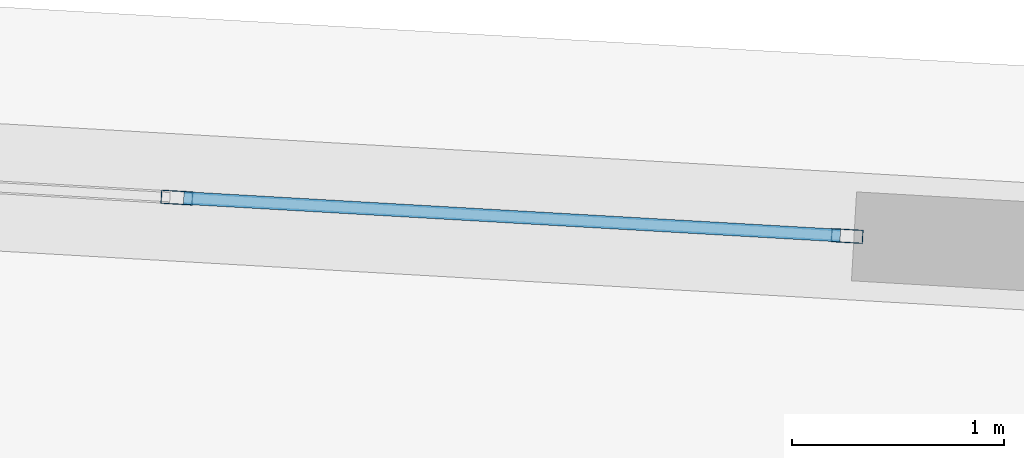
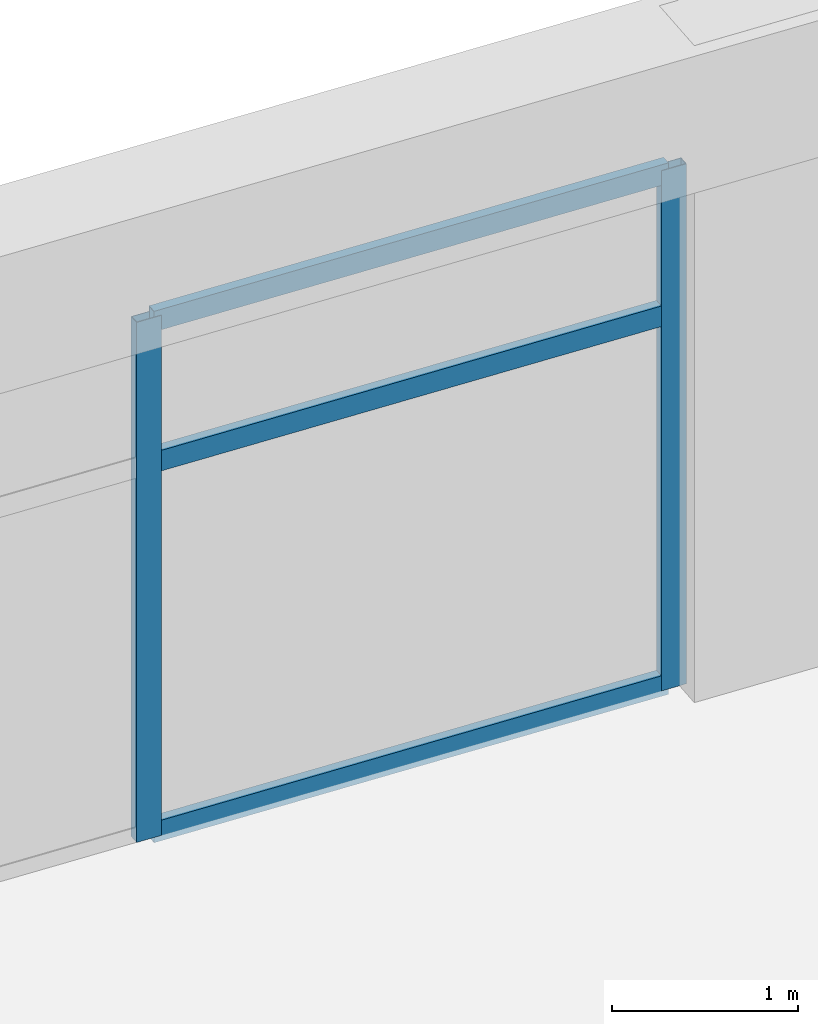
# One storey, part 23 of 30: 5 members, 1 element without a shape of its own.
"""IFC4 building model written with IfcOpenShell, lengths in metres."""

from ifc_helpers import new_model, si_unit, direction, frame, origin, origin_2d, place, context, subcontext, project, spatial, hollow_rectangle, extrude, source, transform, mapped, material, layer, layer_set, material_profile, profile_set, type_object, element, aggregate, save


model = new_model("IFC4")

# Units and contexts
model_context = context("Model", 3, precision=1e-05, world=origin(), true_north=direction((0.0, 1.0)))
body_context = subcontext(model_context, "Body", "Model", "MODEL_VIEW")
ifc_project = project(units=[si_unit("LENGTHUNIT", "METRE"), si_unit("AREAUNIT", "SQUARE_METRE"), si_unit("VOLUMEUNIT", "CUBIC_METRE"), si_unit("PLANEANGLEUNIT", "RADIAN"), si_unit("MASSUNIT", "GRAM", prefix="KILO")], contexts=[model_context])

# Site, building, storey
site_placement = place(None, origin())
site = spatial("IfcSite", under=ifc_project, at=site_placement, CompositionType="ELEMENT")
building_placement = place(site_placement, origin())
building = spatial("IfcBuilding", under=site, at=building_placement, Name="Liaohun Quay Tower", CompositionType="ELEMENT")
storey_placement = place(building_placement, frame((0.0, 0.0, 97.5)))
storey = spatial("IfcBuildingStorey", under=building, at=storey_placement, Name="L25", CompositionType="ELEMENT", Elevation=97.5)

# Curtain wall, members
ifc_material_1 = material(Name="Low-rise sky-lobby belvedere curtain wall")
ifc_layer = layer(ifc_material_1, 0.199951171875, Name="Low-rise sky-lobby belvedere curtain wall")
ifc_layer_set = layer_set([ifc_layer], Name="Low-rise sky-lobby belvedere curtain wall")
curtain_wall_type = type_object("IfcCurtainWallType", Name="CW-SKY-L25", PredefinedType="NOTDEFINED", material=ifc_layer_set)
curtain_wall_placement = place(storey_placement, origin())
curtain_wall = element("IfcCurtainWall", 1, at=curtain_wall_placement, inside=storey, type_object=curtain_wall_type, Name="L25 Panoramic Belvedere Curtain Wall 03", PredefinedType="NOTDEFINED")
ifc_material_2 = material(Name="Anodised aluminium 6063-T6", Category="aluminium")
ifc_material_profile_1 = material_profile(ifc_material_2, hollow_rectangle(XDim=0.06494140625, YDim=0.14990234375, WallThickness=0.00390625, at=origin_2d()), Name="RHS150x65x4")
ifc_profile_set_1 = profile_set([ifc_material_profile_1], Name="Anodised aluminium 6063-T6")
member_type_1 = type_object("IfcMemberType", Name="MEM-CWM-SKY", PredefinedType="MULLION", material=ifc_profile_set_1)
shared_shape_1 = source(origin(), body_context, "Body", "SweptSolid", [
    extrude(hollow_rectangle(XDim=0.06494140625, YDim=0.14990234375, WallThickness=0.00390625, at=origin_2d()), origin(), (0.0, 0.0, 1.0), 3.419921875),
])
member_1_placement = place(storey_placement, frame((77.28466796875, 79.791748046875, 0.0), z_axis=(0.0, 0.0, 1.0), x_axis=(-0.057192193826, -0.998363186904, 0.0)))
member_1 = element("IfcMember", 2, at=member_1_placement, type_object=member_type_1, Name="CW3 mullion 1", PredefinedType="MULLION", context=body_context, shape_type="MappedRepresentation", body=[
    mapped(shared_shape_1, transform((0.0, 0.0, 0.0), x_axis=(1.0, 0.0, 0.0), y_axis=(0.0, 1.0, 0.0), z_axis=(0.0, 0.0, 1.0), scale=1.0)),
])
member_2_placement = place(storey_placement, frame((74.12255859375, 79.972900390625, 0.0), z_axis=(0.0, 0.0, 1.0), x_axis=(-0.057192193826, -0.998363186904, 0.0)))
member_2 = element("IfcMember", 3, at=member_2_placement, type_object=member_type_1, Name="CW3 mullion 2", PredefinedType="MULLION", context=body_context, shape_type="MappedRepresentation", body=[
    mapped(shared_shape_1, transform((0.0, 0.0, 0.0), x_axis=(1.0, 0.0, 0.0), y_axis=(0.0, 1.0, 0.0), z_axis=(0.0, 0.0, 1.0), scale=1.0)),
])
ifc_material_profile_2 = material_profile(ifc_material_2, hollow_rectangle(XDim=0.06005859375, YDim=0.135009765625, WallThickness=0.00390625, at=origin_2d()), Name="RHS135x60x4")
ifc_profile_set_2 = profile_set([ifc_material_profile_2], Name="Anodised aluminium 6063-T6")
member_type_2 = type_object("IfcMemberType", Name="MEM-CWT-SKY", PredefinedType="USERDEFINED", material=ifc_profile_set_2)
shared_shape_2 = source(origin(), body_context, "Body", "SweptSolid", [
    extrude(hollow_rectangle(XDim=0.06005859375, YDim=0.135009765625, WallThickness=0.00390625, at=origin_2d()), origin(), (0.0, 0.0, 1.0), 3.102294921875),
])
member_3_placement = place(storey_placement, frame((77.252197265625, 79.793701171875, 0.030029296875), z_axis=(-0.998361972037, 0.057213396947, 0.0), x_axis=(-0.057213396947, -0.998361972037, 0.0)))
member_3 = element("IfcMember", 4, at=member_3_placement, type_object=member_type_2, Name="CW3 transom 1.1", ObjectType="TRANSOM", PredefinedType="USERDEFINED", context=body_context, shape_type="MappedRepresentation", body=[
    mapped(shared_shape_2, transform((0.0, 0.0, 0.0), x_axis=(1.0, 0.0, 0.0), y_axis=(0.0, 1.0, 0.0), z_axis=(0.0, 0.0, 1.0), scale=1.0)),
])
member_4_placement = place(storey_placement, frame((77.252197265625, 79.793701171875, 2.4619140625), z_axis=(-0.998361972037, 0.057213396947, 0.0), x_axis=(-0.057213396947, -0.998361972037, 0.0)))
member_4 = element("IfcMember", 5, at=member_4_placement, type_object=member_type_2, Name="CW3 transom 1.2", ObjectType="TRANSOM", PredefinedType="USERDEFINED", context=body_context, shape_type="MappedRepresentation", body=[
    mapped(shared_shape_2, transform((0.0, 0.0, 0.0), x_axis=(1.0, 0.0, 0.0), y_axis=(0.0, 1.0, 0.0), z_axis=(0.0, 0.0, 1.0), scale=1.0)),
])
member_5_placement = place(storey_placement, frame((77.252197265625, 79.793701171875, 3.389892578125), z_axis=(-0.998361972037, 0.057213396947, 0.0), x_axis=(-0.057213396947, -0.998361972037, 0.0)))
member_5 = element("IfcMember", 6, at=member_5_placement, type_object=member_type_2, Name="CW3 transom 1.3", ObjectType="TRANSOM", PredefinedType="USERDEFINED", context=body_context, shape_type="MappedRepresentation", body=[
    mapped(shared_shape_2, transform((0.0, 0.0, 0.0), x_axis=(1.0, 0.0, 0.0), y_axis=(0.0, 1.0, 0.0), z_axis=(0.0, 0.0, 1.0), scale=1.0)),
])
aggregate(curtain_wall, [member_1, member_2, member_3, member_4, member_5])

save(model, "model.ifc")
